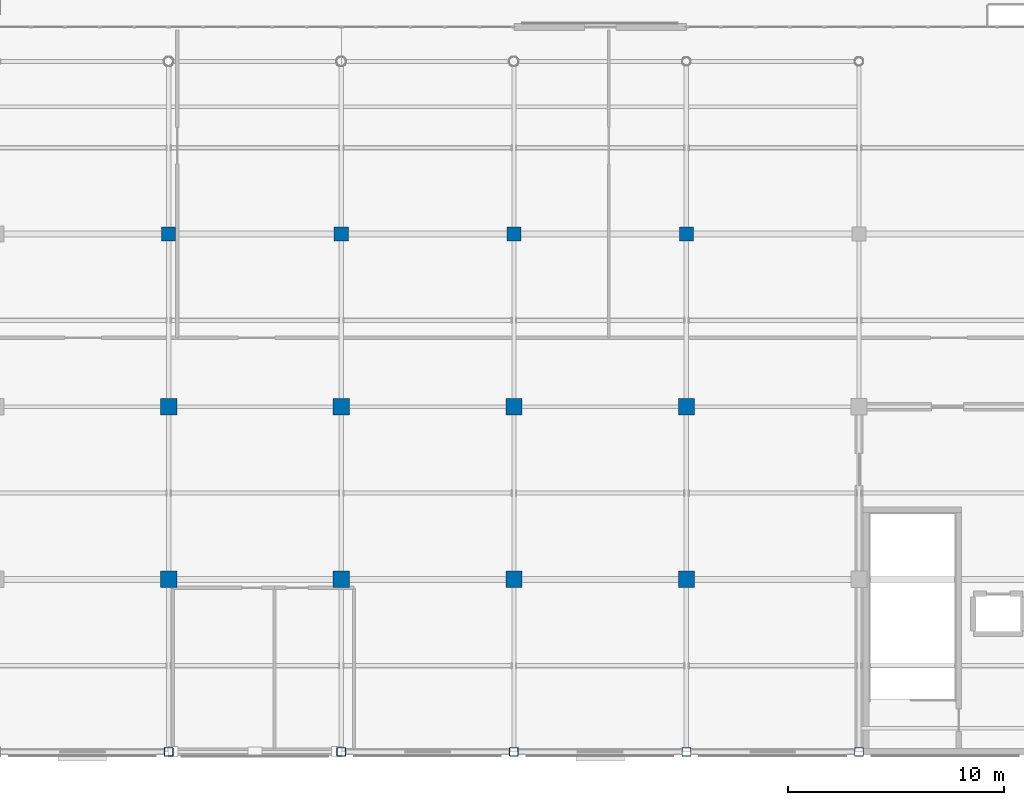
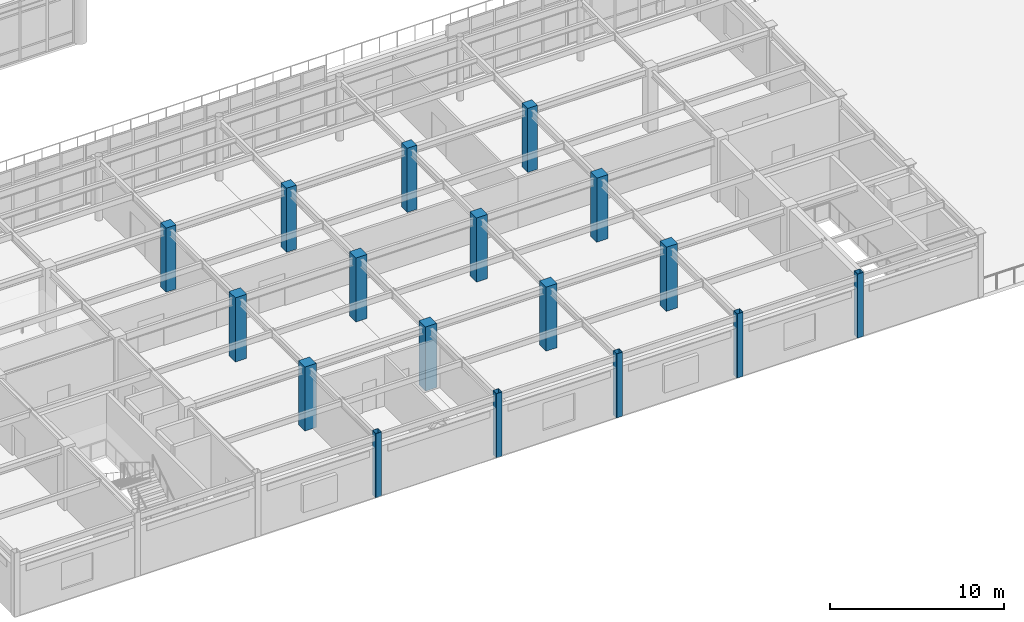
# One storey, part 4 of 93: 17 columns.
"""IFC4 building model written with IfcOpenShell, lengths in metres."""

import ifcopenshell
import ifcopenshell.guid

model = None  # the IFC model being written
_history = None  # IfcOwnerHistory: only IFC2X3 demands one
_inside = {}  # id of a spatial element -> (the spatial element, [elements in it])
_under = {}  # id of a project, library or spatial element -> (it, [spatial elements below it])
_declared = {}  # id of a project -> (the project, [libraries it declares])
_typed = {}  # id of a type object -> (the type object, [elements of that type])
_made_of = {}  # id of a material, layer set ... -> (it, [elements and type objects made of it])


def new_model(schema):
    """Start an empty IFC model of exactly this schema.

    Asked for "IFC4X3", IfcOpenShell would pick the latest addendum, in which some entities
    have other attributes; the version numbers below select the first issue.
    IFC2X3 requires an IfcOwnerHistory on every rooted entity: one is made here for all.
    """
    global model, _history
    if schema == "IFC4X3":
        model = ifcopenshell.file(schema_version=(4, 3, 0, 0))
    else:
        model = ifcopenshell.file(schema=schema)
    _inside.clear()
    _under.clear()
    _declared.clear()
    _typed.clear()
    _made_of.clear()
    _history = None
    if model.schema == "IFC2X3":
        org = make("IfcOrganization", Name="unknown")
        user = make(
            "IfcPersonAndOrganization",
            ThePerson=make("IfcPerson", FamilyName="unknown"),
            TheOrganization=org,
        )
        app = make(
            "IfcApplication",
            ApplicationDeveloper=org,
            Version="unknown",
            ApplicationFullName="unknown",
            ApplicationIdentifier="unknown",
        )
        _history = make(
            "IfcOwnerHistory",
            OwningUser=user,
            OwningApplication=app,
            ChangeAction="ADDED",
            CreationDate=0,
        )
    return model


def make(cls, **values):
    """One entity of the class cls with the attributes given. An attribute that is None is left unset."""
    return model.create_entity(
        cls, **{name: value for name, value in values.items() if value is not None}
    )


def rooted(cls, **values):
    """An entity with a GlobalId (a new one), such as an element, a storey or a relation."""
    return make(cls, GlobalId=ifcopenshell.guid.new(), OwnerHistory=_history, **values)


def si_unit(unit_type, name, prefix=None):
    """IfcSIUnit, for example si_unit("LENGTHUNIT", "METRE", prefix="MILLI")."""
    return make("IfcSIUnit", UnitType=unit_type, Prefix=prefix, Name=name)


def assignment(units):
    """IfcUnitAssignment: the units of a project."""
    return None if units is None else make("IfcUnitAssignment", Units=units)


def point(xyz):
    """IfcCartesianPoint."""
    return None if xyz is None else make("IfcCartesianPoint", Coordinates=xyz)


def direction(xyz):
    """IfcDirection."""
    return None if xyz is None else make("IfcDirection", DirectionRatios=xyz)


def frame(location, z_axis=None, x_axis=None):
    """IfcAxis2Placement3D, a coordinate frame: its origin and axes. An axis left out is left unset."""
    return make(
        "IfcAxis2Placement3D",
        Location=point(location),
        Axis=direction(z_axis),
        RefDirection=direction(x_axis),
    )


def frame_2d(location, x_axis=None):
    """IfcAxis2Placement2D, a coordinate frame in the plane: its origin and x axis."""
    return make(
        "IfcAxis2Placement2D", Location=point(location), RefDirection=direction(x_axis)
    )


def origin():
    """The frame at (0, 0, 0) with its axes left unset."""
    return frame((0.0, 0.0, 0.0))


def origin_2d():
    """The frame at (0, 0) in the plane with its x axis left unset."""
    return frame_2d((0.0, 0.0))


def place(relative_to, where):
    """IfcLocalPlacement: puts the frame where relative to a parent placement (None: the world)."""
    return make(
        "IfcLocalPlacement", PlacementRelTo=relative_to, RelativePlacement=where
    )


def context(
    kind, dimensions, precision=None, world=None, true_north=None, identifier=None
):
    """IfcGeometricRepresentationContext, for example the 3D "Model" context."""
    return make(
        "IfcGeometricRepresentationContext",
        ContextIdentifier=identifier,
        ContextType=kind,
        CoordinateSpaceDimension=dimensions,
        Precision=precision,
        WorldCoordinateSystem=world,
        TrueNorth=true_north,
    )


def subcontext(parent, identifier, kind, view, scale=None):
    """IfcGeometricRepresentationSubContext, for example "Body" below "Model"."""
    return make(
        "IfcGeometricRepresentationSubContext",
        ContextIdentifier=identifier,
        ContextType=kind,
        ParentContext=parent,
        TargetScale=scale,
        TargetView=view,
    )


def project(units=None, contexts=None):
    """IfcProject with its units and contexts."""
    return rooted(
        "IfcProject",
        Name="project",
        RepresentationContexts=contexts,
        UnitsInContext=assignment(units),
    )


def spatial(cls, under=None, at=None, **own):
    """A site, building, storey or space (cls), placed at a placement, below another one or the project."""
    s = rooted(cls, ObjectPlacement=at, **own)
    if under is not None:
        _under.setdefault(under.id(), (under, []))[1].append(s)
    return s


def profile(cls, at=None, kind="AREA", **sizes):
    """A parametric profile (cls). Its sizes go by their IFC names, for example OverallWidth=200.0."""
    return make(cls, ProfileType=kind, Position=at, **sizes)


def rectangle(**sizes):
    """IfcRectangleProfileDef."""
    return profile("IfcRectangleProfileDef", **sizes)


def hollow_rectangle(**sizes):
    """IfcRectangleHollowProfileDef."""
    return profile("IfcRectangleHollowProfileDef", **sizes)


def extrude(swept, where, along, depth):
    """IfcExtrudedAreaSolid: the profile swept, set in the frame where, extruded along a direction by depth."""
    return make(
        "IfcExtrudedAreaSolid",
        SweptArea=swept,
        Position=where,
        ExtrudedDirection=direction(along),
        Depth=depth,
    )


def shape(context_of_items, identifier, shape_type, items):
    """IfcShapeRepresentation: the items that make up one representation, for example the "Body"."""
    return make(
        "IfcShapeRepresentation",
        ContextOfItems=context_of_items,
        RepresentationIdentifier=identifier,
        RepresentationType=shape_type,
        Items=items,
    )


def material(Name=None, Category=None):
    """IfcMaterial."""
    return make("IfcMaterial", Name=Name, Category=Category)


def material_profile(
    of_material, cross_section, Name=None, Category=None, Priority=None
):
    """IfcMaterialProfile: a cross section and its material."""
    return make(
        "IfcMaterialProfile",
        Name=Name,
        Material=of_material,
        Profile=cross_section,
        Priority=Priority,
        Category=Category,
    )


def profile_set(profiles, Name=None, composite=None):
    """IfcMaterialProfileSet."""
    return make(
        "IfcMaterialProfileSet",
        Name=Name,
        MaterialProfiles=profiles,
        CompositeProfile=composite,
    )


def made_of(thing, what):
    """Note that an element or type object is made of a material, layer set ...; save() writes the relation."""
    if what is not None:
        _made_of.setdefault(what.id(), (what, []))[1].append(thing)
    return thing


def type_object(cls, material=None, **own):
    """A type object (cls), such as IfcWallType, which elements share."""
    return made_of(rooted(cls, **own), material)


def element(
    cls,
    number,
    at=None,
    inside=None,
    cuts=None,
    type_object=None,
    material=None,
    context=None,
    identifier="Body",
    shape_type=None,
    held_by="IfcProductDefinitionShape",
    body=None,
    shapes=None,
    **own,
):
    """One element of the class cls, such as IfcWall. Its Tag is "e" and its number.

    at: its placement. inside: the storey or other place that contains it. cuts: it is an
    opening in that element (IfcRelVoidsElement). A single representation is given by context,
    identifier, shape_type and body (its items); several are given by shapes. held_by: the class
    of the entity that holds the representations. save() writes the other relations.
    """
    e = rooted(cls, Tag="e%d" % number, ObjectPlacement=at, **own)
    if body is not None:
        shapes = [shape(context, identifier, shape_type, body)]
    if shapes is not None:
        e.Representation = make(held_by, Representations=shapes)
    if inside is not None:
        _inside.setdefault(inside.id(), (inside, []))[1].append(e)
    if cuts is not None:
        rooted(
            "IfcRelVoidsElement", RelatingBuildingElement=cuts, RelatedOpeningElement=e
        )
    if type_object is not None:
        _typed.setdefault(type_object.id(), (type_object, []))[1].append(e)
    return made_of(e, material)


def aggregate(whole, parts):
    """IfcRelAggregates: a whole, such as a stair, and the parts it consists of."""
    return rooted("IfcRelAggregates", RelatingObject=whole, RelatedObjects=parts)


def save(model, path):
    """Write the relations noted so far, then the file.

    IfcRelAggregates (storeys below a building ...), IfcRelContainedInSpatialStructure (elements
    in a storey), IfcRelDefinesByType, IfcRelAssociatesMaterial and IfcRelDeclares: one each for
    every whole, place, type object, material and project.
    """
    for whole, parts in _under.values():
        aggregate(whole, parts)
    for where, things in _inside.values():
        rooted(
            "IfcRelContainedInSpatialStructure",
            RelatedElements=things,
            RelatingStructure=where,
        )
    for kind, things in _typed.values():
        rooted("IfcRelDefinesByType", RelatedObjects=things, RelatingType=kind)
    for what, things in _made_of.values():
        rooted("IfcRelAssociatesMaterial", RelatedObjects=things, RelatingMaterial=what)
    for by, libraries in _declared.values():
        rooted("IfcRelDeclares", RelatingContext=by, RelatedDefinitions=libraries)
    model.write(path)


model = new_model("IFC4")

# Units and contexts
model_context = context("Model", 3, precision=1e-05, world=origin(), true_north=direction((0.0, 1.0)))
body_context = subcontext(model_context, "Body", "Model", "MODEL_VIEW")
ifc_project = project(units=[si_unit("LENGTHUNIT", "METRE"), si_unit("AREAUNIT", "SQUARE_METRE"), si_unit("VOLUMEUNIT", "CUBIC_METRE"), si_unit("PLANEANGLEUNIT", "RADIAN"), si_unit("MASSUNIT", "GRAM", prefix="KILO")], contexts=[model_context])

# Site, building, storey
site_placement = place(None, origin())
site = spatial("IfcSite", under=ifc_project, at=site_placement, CompositionType="ELEMENT")
building_placement = place(site_placement, origin())
building = spatial("IfcBuilding", under=site, at=building_placement, Name="Solmirada Galleria", CompositionType="ELEMENT")
storey_placement = place(building_placement, frame((0.0, 0.0, 14.89990234375)))
storey = spatial("IfcBuildingStorey", under=building, at=storey_placement, Name="L03", CompositionType="ELEMENT", Elevation=14.89990234375)

# Columns
ifc_material_1 = material(Name="Steel S355 / ASTM A500 Grade C", Category="steel")
ifc_material_profile_1 = material_profile(ifc_material_1, hollow_rectangle(XDim=0.406005859375, YDim=0.406005859375, WallThickness=0.0146484375, InnerFilletRadius=0.0146484375, OuterFilletRadius=0.029296875, at=origin_2d()), Name="HSS16X16X5/8")
ifc_profile_set_1 = profile_set([ifc_material_profile_1], Name="Steel S355 / ASTM A500 Grade C")
column_type_1 = type_object("IfcColumnType", Name="COL-HSS16", PredefinedType="COLUMN", material=ifc_profile_set_1)
for number, where, z_axis, x_axis, name in (
    (1, (104.0, 0.0, 0.0), (0.0, 0.0, 1.0), (1.0, 0.0, 0.0), "Structural column L03-0696"),
    (2, (112.0, 0.0, 0.0), (0.0, 0.0, 1.0), (1.0, 0.0, 0.0), "Structural column L03-0807"),
    (3, (120.0, 0.0, 0.0), (0.0, 0.0, 1.0), (1.0, 0.0, 0.0), "Structural column L03-0924"),
    (4, (128.0, 0.0, 0.0), (0.0, 0.0, 1.0), (1.0, 0.0, 0.0), "Structural column L03-1007"),
    (5, (136.0, 0.0, 0.0), (0.0, 0.0, 1.0), (1.0, 0.0, 0.0), "Structural column L03-1108"),
):
    element("IfcColumn", number, at=place(storey_placement, frame(where, z_axis=z_axis, x_axis=x_axis)), inside=storey, type_object=column_type_1, Name=name, PredefinedType="COLUMN", context=body_context, shape_type="SweptSolid", body=[
        extrude(hollow_rectangle(XDim=0.406005859375, YDim=0.406005859375, WallThickness=0.0146484375, InnerFilletRadius=0.0146484375, OuterFilletRadius=0.029296875, at=origin_2d()), origin(), (0.0, 0.0, 1.0), 4.5),
    ])
ifc_material_2 = material(Name="Concrete C40/50", Category="concrete")
ifc_material_profile_2 = material_profile(ifc_material_2, rectangle(XDim=0.64990234375, YDim=0.64990234375, at=origin_2d()), Name="RC650X650")
ifc_profile_set_2 = profile_set([ifc_material_profile_2], Name="Concrete C40/50")
column_type_2 = type_object("IfcColumnType", Name="COL-RC650", PredefinedType="COLUMN", material=ifc_profile_set_2)
for number, where, z_axis, x_axis, name in (
    (6, (104.0, 24.0, 0.0), (0.0, 0.0, 1.0), (1.0, 0.0, 0.0), "Structural column L03-0720"),
    (7, (112.0, 24.0, 0.0), (0.0, 0.0, 1.0), (1.0, 0.0, 0.0), "Structural column L03-0831"),
    (8, (120.0, 24.0, 0.0), (0.0, 0.0, 1.0), (1.0, 0.0, 0.0), "Structural column L03-0948"),
    (9, (128.0, 24.0, 0.0), (0.0, 0.0, 1.0), (1.0, 0.0, 0.0), "Structural column L03-1031"),
):
    element("IfcColumn", number, at=place(storey_placement, frame(where, z_axis=z_axis, x_axis=x_axis)), inside=storey, type_object=column_type_2, Name=name, PredefinedType="COLUMN", context=body_context, shape_type="SweptSolid", body=[
        extrude(rectangle(XDim=0.64990234375, YDim=0.64990234375, at=origin_2d()), origin(), (0.0, 0.0, 1.0), 4.5),
    ])
ifc_material_profile_3 = material_profile(ifc_material_2, rectangle(XDim=0.75, YDim=0.75, at=origin_2d()), Name="RC750X750")
ifc_profile_set_3 = profile_set([ifc_material_profile_3], Name="Concrete C40/50")
column_type_3 = type_object("IfcColumnType", Name="COL-RC750", PredefinedType="COLUMN", material=ifc_profile_set_3)
for number, where, z_axis, x_axis, name in (
    (10, (104.0, 8.0, 0.0), (0.0, 0.0, 1.0), (1.0, 0.0, 0.0), "Structural column L03-0704"),
    (11, (104.0, 16.0, 0.0), (0.0, 0.0, 1.0), (1.0, 0.0, 0.0), "Structural column L03-0712"),
    (12, (112.0, 8.0, 0.0), (0.0, 0.0, 1.0), (1.0, 0.0, 0.0), "Structural column L03-0815"),
    (13, (112.0, 16.0, 0.0), (0.0, 0.0, 1.0), (1.0, 0.0, 0.0), "Structural column L03-0823"),
    (14, (120.0, 8.0, 0.0), (0.0, 0.0, 1.0), (1.0, 0.0, 0.0), "Structural column L03-0932"),
    (15, (120.0, 16.0, 0.0), (0.0, 0.0, 1.0), (1.0, 0.0, 0.0), "Structural column L03-0940"),
    (16, (128.0, 8.0, 0.0), (0.0, 0.0, 1.0), (1.0, 0.0, 0.0), "Structural column L03-1015"),
    (17, (128.0, 16.0, 0.0), (0.0, 0.0, 1.0), (1.0, 0.0, 0.0), "Structural column L03-1023"),
):
    element("IfcColumn", number, at=place(storey_placement, frame(where, z_axis=z_axis, x_axis=x_axis)), inside=storey, type_object=column_type_3, Name=name, PredefinedType="COLUMN", context=body_context, shape_type="SweptSolid", body=[
        extrude(rectangle(XDim=0.75, YDim=0.75, at=origin_2d()), origin(), (0.0, 0.0, 1.0), 4.5),
    ])

save(model, "model.ifc")
